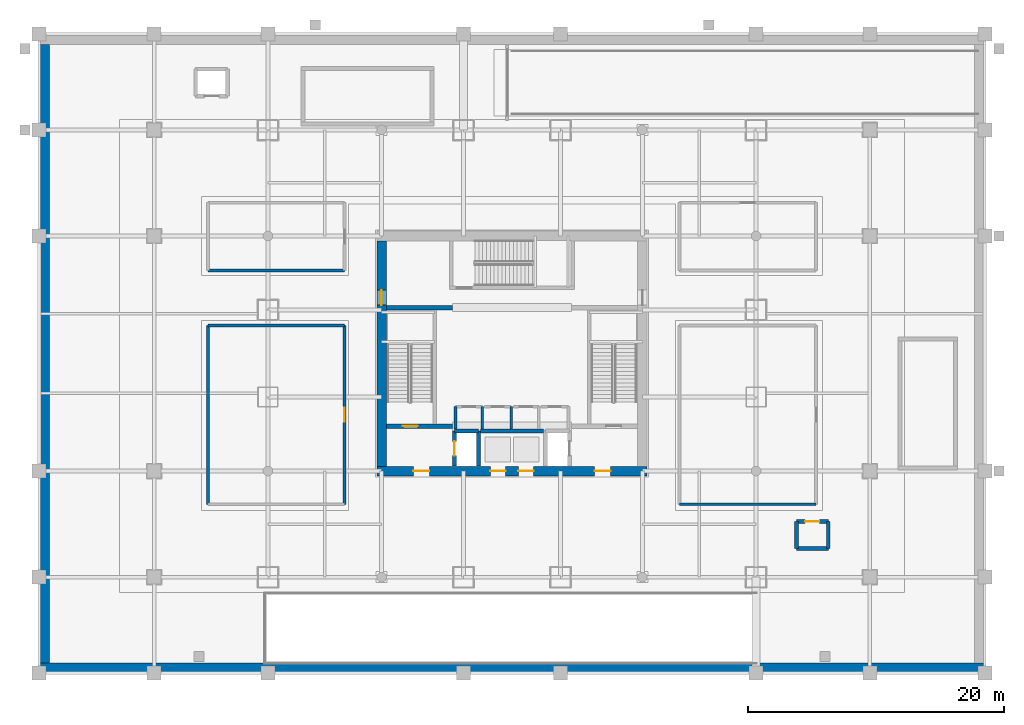
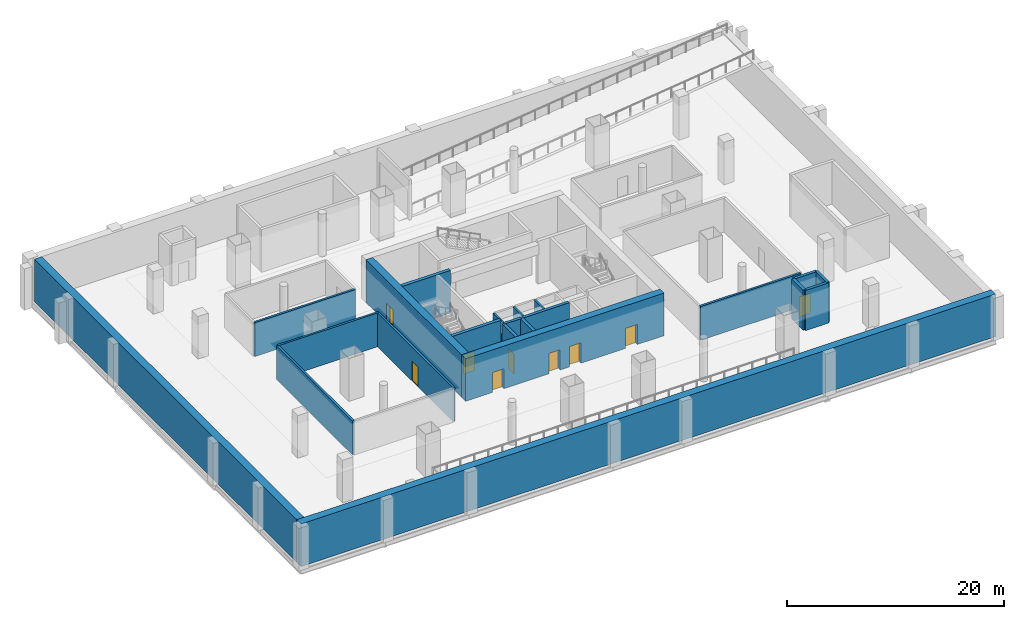
# One storey, part 3 of 12: 22 walls, 9 doors, 9 openings.
"""IFC4 building model written with IfcOpenShell, lengths in metres."""

from ifc_helpers import new_model, si_unit, direction, frame, frame_2d, origin, place, context, subcontext, project, spatial, rectangle, extrude, material, layer, layer_set, type_object, element, fill, save


model = new_model("IFC4")

# Units and contexts
model_context = context("Model", 3, precision=1e-05, world=origin(), true_north=direction((0.0, 1.0)))
body_context = subcontext(model_context, "Body", "Model", "MODEL_VIEW")
ifc_project = project(units=[si_unit("LENGTHUNIT", "METRE"), si_unit("AREAUNIT", "SQUARE_METRE"), si_unit("VOLUMEUNIT", "CUBIC_METRE"), si_unit("PLANEANGLEUNIT", "RADIAN"), si_unit("MASSUNIT", "GRAM", prefix="KILO")], contexts=[model_context])

# Site, building, storey
site_placement = place(None, origin())
site = spatial("IfcSite", under=ifc_project, at=site_placement, CompositionType="ELEMENT")
building_placement = place(site_placement, origin())
building = spatial("IfcBuilding", under=site, at=building_placement, Name="Punatoya Terracotta Tower", CompositionType="ELEMENT")
storey_placement = place(building_placement, frame((0.0, 0.0, -4.800048828125)))
storey = spatial("IfcBuildingStorey", under=building, at=storey_placement, Name="B1", CompositionType="ELEMENT", Elevation=-4.800048828125)

# Wall, openings, doors
ifc_material_1 = material(Name="Concrete C60/75", Category="concrete")
ifc_layer_1 = layer(ifc_material_1, 0.75)
ifc_layer_set_1 = layer_set([ifc_layer_1], Name="Concrete C60/75")
wall_type_1 = type_object("IfcWallType", Name="WL-COR-750", PredefinedType="SHEAR", material=ifc_layer_set_1)
wall_1_placement = place(storey_placement, frame((10.574951171875, -9.199951171875, 0.0), z_axis=(0.0, 0.0, 1.0), x_axis=(-1.0, 0.0, 0.0)))
wall_1 = element("IfcWall", 1, at=wall_1_placement, inside=storey, type_object=wall_type_1, Name="B1 Core Shear Wall S", PredefinedType="SHEAR", context=body_context, shape_type="SweptSolid", body=[
    extrude(rectangle(XDim=21.14990234375, YDim=0.75, at=frame_2d((10.574951171875, 0.0))), origin(), (0.0, 0.0, 1.0), 4.800048828125),
])
opening_1_placement = place(wall_1_placement, frame((2.85009765625, 0.0, 0.0)))
opening_1 = element("IfcOpeningElement", 2, at=opening_1_placement, cuts=wall_1, Name="Opening FD-L1", PredefinedType="OPENING", context=body_context, shape_type="SweptSolid", body=[
    extrude(rectangle(XDim=1.25, YDim=2.25, at=frame_2d((0.625, 1.125))), frame((0.0, 0.385009765625, 0.0), z_axis=(0.0, -1.0, 0.0), x_axis=(1.0, 0.0, 0.0)), (0.0, 0.0, 1.0), 0.77001953125),
])
opening_2_placement = place(wall_1_placement, frame((17.050048828125, 0.0, 0.0)))
opening_2 = element("IfcOpeningElement", 3, at=opening_2_placement, cuts=wall_1, Name="Opening FD-L1", PredefinedType="OPENING", context=body_context, shape_type="SweptSolid", body=[
    extrude(rectangle(XDim=1.25, YDim=2.25, at=frame_2d((0.625, 1.125))), frame((0.0, 0.385009765625, 0.0), z_axis=(0.0, -1.0, 0.0), x_axis=(1.0, 0.0, 0.0)), (0.0, 0.0, 1.0), 0.77001953125),
])
opening_3_placement = place(wall_1_placement, frame((11.074951171875, 0.0, 0.0)))
opening_3 = element("IfcOpeningElement", 4, at=opening_3_placement, cuts=wall_1, Name="Opening LD-01", PredefinedType="OPENING", context=body_context, shape_type="SweptSolid", body=[
    extrude(rectangle(XDim=1.199951171875, YDim=2.300048828125, at=frame_2d((0.60009765625, 1.14990234375))), frame((0.0, 0.385009765625, 0.0), z_axis=(0.0, -1.0, 0.0), x_axis=(1.0, 0.0, 0.0)), (0.0, 0.0, 1.0), 0.77001953125),
])
opening_4_placement = place(wall_1_placement, frame((8.875, 0.0, 0.0)))
opening_4 = element("IfcOpeningElement", 5, at=opening_4_placement, cuts=wall_1, Name="Opening LD-01", PredefinedType="OPENING", context=body_context, shape_type="SweptSolid", body=[
    extrude(rectangle(XDim=1.199951171875, YDim=2.300048828125, at=frame_2d((0.60009765625, 1.14990234375))), frame((0.0, 0.385009765625, 0.0), z_axis=(0.0, -1.0, 0.0), x_axis=(1.0, 0.0, 0.0)), (0.0, 0.0, 1.0), 0.77001953125),
])
ifc_material_2 = material(Name="Galvanised Steel Smokeproof Fire Door", Category="steel")
door_type_1 = type_object("IfcDoorType", Name="DR-FFL-1250", OperationType="NOTDEFINED", PredefinedType="DOOR", material=ifc_material_2)
door_1_placement = place(opening_1_placement, origin())
door_1 = element("IfcDoor", 6, at=door_1_placement, inside=storey, type_object=door_type_1, Name="B1 East Firefighting Lobby Corridor Fire Door", OperationType="SINGLE_SWING_LEFT", OverallHeight=2.25, OverallWidth=1.25, PredefinedType="DOOR", context=body_context, shape_type="SweptSolid", body=[
    extrude(rectangle(XDim=1.25, YDim=2.25, at=frame_2d((0.625, 1.125))), frame((0.0, 0.02490234375, 0.0), z_axis=(0.0, -1.0, 0.0), x_axis=(1.0, 0.0, 0.0)), (0.0, 0.0, 1.0), 0.050048828125),
])
fill(opening_1, door_1)
door_2_placement = place(opening_2_placement, origin())
door_2 = element("IfcDoor", 7, at=door_2_placement, inside=storey, type_object=door_type_1, Name="B1 West Firefighting Lobby Corridor Fire Door", OperationType="SINGLE_SWING_RIGHT", OverallHeight=2.25, OverallWidth=1.25, PredefinedType="DOOR", context=body_context, shape_type="SweptSolid", body=[
    extrude(rectangle(XDim=1.25, YDim=2.25, at=frame_2d((0.625, 1.125))), frame((0.0, 0.02490234375, 0.0), z_axis=(0.0, -1.0, 0.0), x_axis=(1.0, 0.0, 0.0)), (0.0, 0.0, 1.0), 0.050048828125),
])
fill(opening_2, door_2)
ifc_material_3 = material(Name="Stainless Steel Lift Landing Door", Category="steel")
door_type_2 = type_object("IfcDoorType", Name="DR-LND-1200", OperationType="NOTDEFINED", PredefinedType="DOOR", material=ifc_material_3)
door_3_placement = place(opening_3_placement, origin())
door_3 = element("IfcDoor", 8, at=door_3_placement, inside=storey, type_object=door_type_2, Name="B1 Observation Express OB-1 Sliding Landing Door", OperationType="DOUBLE_DOOR_SLIDING", OverallHeight=2.300048828125, OverallWidth=1.199951171875, PredefinedType="DOOR", context=body_context, shape_type="SweptSolid", body=[
    extrude(rectangle(XDim=1.199951171875, YDim=2.300048828125, at=frame_2d((0.60009765625, 1.14990234375))), frame((0.0, 0.02490234375, 0.0), z_axis=(0.0, -1.0, 0.0), x_axis=(1.0, 0.0, 0.0)), (0.0, 0.0, 1.0), 0.050048828125),
])
fill(opening_3, door_3)
door_4_placement = place(opening_4_placement, origin())
door_4 = element("IfcDoor", 9, at=door_4_placement, inside=storey, type_object=door_type_2, Name="B1 Observation Express OB-2 Sliding Landing Door", OperationType="DOUBLE_DOOR_SLIDING", OverallHeight=2.300048828125, OverallWidth=1.199951171875, PredefinedType="DOOR", context=body_context, shape_type="SweptSolid", body=[
    extrude(rectangle(XDim=1.199951171875, YDim=2.300048828125, at=frame_2d((0.60009765625, 1.14990234375))), frame((0.0, 0.02490234375, 0.0), z_axis=(0.0, -1.0, 0.0), x_axis=(1.0, 0.0, 0.0)), (0.0, 0.0, 1.0), 0.050048828125),
])
fill(opening_4, door_4)

# Wall, opening, door
wall_2_placement = place(storey_placement, frame((-10.199951171875, -8.824951171875, 0.0), z_axis=(0.0, 0.0, 1.0), x_axis=(0.0, 1.0, 0.0)))
wall_2 = element("IfcWall", 10, at=wall_2_placement, inside=storey, type_object=wall_type_1, Name="B1 Core Shear Wall W", PredefinedType="SHEAR", context=body_context, shape_type="SweptSolid", body=[
    extrude(rectangle(XDim=17.64990234375, YDim=0.75, at=frame_2d((8.824951171875, 0.0))), origin(), (0.0, 0.0, 1.0), 4.800048828125),
])
opening_5_placement = place(wall_2_placement, frame((12.614990234375, 0.0, 0.0)))
opening_5 = element("IfcOpeningElement", 11, at=opening_5_placement, cuts=wall_2, Name="Opening SD-01", PredefinedType="OPENING", context=body_context, shape_type="SweptSolid", body=[
    extrude(rectangle(XDim=1.179931640625, YDim=2.199951171875, at=frame_2d((0.58984375, 1.10009765625))), frame((0.0, 0.385009765625, 0.0), z_axis=(0.0, -1.0, 0.0), x_axis=(1.0, 0.0, 0.0)), (0.0, 0.0, 1.0), 0.77001953125),
])
ifc_material_4 = material(Name="Galvanised Steel Pressurized Stair Fire Door", Category="steel")
door_type_3 = type_object("IfcDoorType", Name="DR-STR-1180", OperationType="NOTDEFINED", PredefinedType="DOOR", material=ifc_material_4)
door_5_placement = place(opening_5_placement, origin())
door_5 = element("IfcDoor", 12, at=door_5_placement, inside=storey, type_object=door_type_3, Name="B1 Central Lift Lobby West Fire Door", OperationType="SINGLE_SWING_LEFT", OverallHeight=2.199951171875, OverallWidth=1.179931640625, PredefinedType="DOOR", context=body_context, shape_type="SweptSolid", body=[
    extrude(rectangle(XDim=1.179931640625, YDim=2.199951171875, at=frame_2d((0.58984375, 1.10009765625))), frame((0.0, 0.02490234375, 0.0), z_axis=(0.0, -1.0, 0.0), x_axis=(1.0, 0.0, 0.0)), (0.0, 0.0, 1.0), 0.050048828125),
])
fill(opening_5, door_5)

ifc_material_5 = material(Name="Concrete C40/50", Category="concrete")
ifc_layer_2 = layer(ifc_material_5, 0.219970703125)
ifc_layer_set_2 = layer_set([ifc_layer_2], Name="Concrete C40/50")
wall_type_2 = type_object("IfcWallType", Name="WL-FIR-220", PredefinedType="SOLIDWALL", material=ifc_layer_set_2)
wall_3_placement = place(storey_placement, frame((-13.10009765625, -11.800048828125, 0.0), z_axis=(0.0, 0.0, 1.0), x_axis=(0.0, 1.0, 0.0)))
wall_3 = element("IfcWall", 13, at=wall_3_placement, inside=storey, type_object=wall_type_2, Name="B1 33/11 kV High-Voltage Electrical Substation Partition 10", PredefinedType="SOLIDWALL", context=body_context, shape_type="SweptSolid", body=[
    extrude(rectangle(XDim=14.0, YDim=0.219970703125, at=frame_2d((7.0, 0.0))), origin(), (0.0, 0.0, 1.0), 3.81396484375),
])
opening_6_placement = place(wall_3_placement, frame((6.449951171875, 0.0, 0.0)))
opening_6 = element("IfcOpeningElement", 14, at=opening_6_placement, cuts=wall_3, Name="Opening FD-P1", PredefinedType="OPENING", context=body_context, shape_type="SweptSolid", body=[
    extrude(rectangle(XDim=1.10009765625, YDim=2.199951171875, at=frame_2d((0.550048828125, 1.10009765625))), frame((0.0, 0.119873046875, 0.0), z_axis=(0.0, -1.0, 0.0), x_axis=(1.0, 0.0, 0.0)), (0.0, 0.0, 1.0), 0.239990234375),
])
ifc_material_6 = material(Name="Galvanised Steel Plant Fire Door", Category="steel")
door_type_4 = type_object("IfcDoorType", Name="DR-PLT-1100", OperationType="NOTDEFINED", PredefinedType="DOOR", material=ifc_material_6)
door_6_placement = place(opening_6_placement, origin())
door_6 = element("IfcDoor", 15, at=door_6_placement, inside=storey, type_object=door_type_4, Name="B1 33/11 kV High-Voltage Electrical Substation Fire Door", OperationType="SINGLE_SWING_RIGHT", OverallHeight=2.199951171875, OverallWidth=1.10009765625, PredefinedType="DOOR", context=body_context, shape_type="SweptSolid", body=[
    extrude(rectangle(XDim=1.10009765625, YDim=2.199951171875, at=frame_2d((0.550048828125, 1.10009765625))), frame((0.0, 0.02490234375, 0.0), z_axis=(0.0, -1.0, 0.0), x_axis=(1.0, 0.0, 0.0)), (0.0, 0.0, 1.0), 0.050048828125),
])
fill(opening_6, door_6)

# Walls
wall_4_placement = place(storey_placement, frame((-13.10009765625, 2.199951171875, 0.0), z_axis=(0.0, 0.0, 1.0), x_axis=(-1.0, 0.0, 0.0)))
element("IfcWall", 16, at=wall_4_placement, inside=storey, type_object=wall_type_2, Name="B1 33/11 kV High-Voltage Electrical Substation Partition 11", PredefinedType="SOLIDWALL", context=body_context, shape_type="SweptSolid", body=[
    extrude(rectangle(XDim=10.699951171875, YDim=0.219970703125, at=frame_2d((5.35009765625, 0.0))), origin(), (0.0, 0.0, 1.0), 3.81396484375),
])
wall_5_placement = place(storey_placement, frame((-23.800048828125, 2.199951171875, 0.0), z_axis=(0.0, 0.0, 1.0), x_axis=(0.0, -1.0, 0.0)))
element("IfcWall", 17, at=wall_5_placement, inside=storey, type_object=wall_type_2, Name="B1 33/11 kV High-Voltage Electrical Substation Partition 12", PredefinedType="SOLIDWALL", context=body_context, shape_type="SweptSolid", body=[
    extrude(rectangle(XDim=14.0, YDim=0.219970703125, at=frame_2d((7.0, 0.0))), origin(), (0.0, 0.0, 1.0), 3.81396484375),
])
for number, where, z_axis, x_axis, name in (
    (18, (-23.800048828125, 6.5, 0.0), (0.0, 0.0, 1.0), (1.0, 0.0, 0.0), "B1 Building Management and Fan Plant Room Partition 17"),
    (19, (13.10009765625, -11.800048828125, 0.0), (0.0, 0.0, 1.0), (1.0, 0.0, 0.0), "B1 Secure Staff Cycle Hub and Changing Room Partition 21"),
):
    element("IfcWall", number, at=place(storey_placement, frame(where, z_axis=z_axis, x_axis=x_axis)), inside=storey, type_object=wall_type_2, Name=name, PredefinedType="SOLIDWALL", context=body_context, shape_type="SweptSolid", body=[
        extrude(rectangle(XDim=10.699951171875, YDim=0.219970703125, at=frame_2d((5.35009765625, 0.0))), origin(), (0.0, 0.0, 1.0), 3.81396484375),
    ])
ifc_layer_3 = layer(ifc_material_5, 0.199951171875)
ifc_layer_set_3 = layer_set([ifc_layer_3], Name="Concrete C40/50")
wall_type_3 = type_object("IfcWallType", Name="WL-INT-200", PredefinedType="SOLIDWALL", material=ifc_layer_set_3)
for number, where, z_axis, x_axis, name in (
    (20, (-2.320068359375, -5.89990234375, 0.0), (0.0, 0.0, 1.0), (0.0, 1.0, 0.0), "B1 Staff Male Washroom Partition 01"),
    (21, (-4.419921875, -4.159912109375, 0.0), (0.0, 0.0, 1.0), (0.0, -1.0, 0.0), "B1 Staff Male Washroom Partition 03"),
    (22, (-0.06005859375, -5.89990234375, 0.0), (0.0, 0.0, 1.0), (0.0, 1.0, 0.0), "B1 Staff Female Washroom Partition 04"),
):
    element("IfcWall", number, at=place(storey_placement, frame(where, z_axis=z_axis, x_axis=x_axis)), inside=storey, type_object=wall_type_3, Name=name, PredefinedType="SOLIDWALL", context=body_context, shape_type="SweptSolid", body=[
        extrude(rectangle(XDim=1.739990234375, YDim=0.199951171875, at=frame_2d((0.8701171875, 0.0))), origin(), (0.0, 0.0, 1.0), 4.52001953125),
    ])
ifc_layer_4 = layer(ifc_material_1, 0.800048828125)
ifc_layer_set_4 = layer_set([ifc_layer_4], Name="Concrete C60/75")
wall_type_4 = type_object("IfcWallType", Name="WL-RET-800", PredefinedType="USERDEFINED", material=ifc_layer_set_4)
wall_6_placement = place(storey_placement, frame((37.0, -24.60009765625, 0.0), z_axis=(0.0, 0.0, 1.0), x_axis=(-1.0, 0.0, 0.0)))
element("IfcWall", 23, at=wall_6_placement, inside=storey, type_object=wall_type_4, Name="B1 Perimeter Retaining Wall South", ObjectType="RETAININGWALL", PredefinedType="USERDEFINED", context=body_context, shape_type="SweptSolid", body=[
    extrude(rectangle(XDim=74.0, YDim=0.800048828125, at=frame_2d((37.0, 0.0))), origin(), (0.0, 0.0, 1.0), 4.800048828125),
])
wall_7_placement = place(storey_placement, frame((-36.60009765625, -24.199951171875, 0.0), z_axis=(0.0, 0.0, 1.0), x_axis=(0.0, 1.0, 0.0)))
element("IfcWall", 24, at=wall_7_placement, inside=storey, type_object=wall_type_4, Name="B1 Perimeter Retaining Wall West", ObjectType="RETAININGWALL", PredefinedType="USERDEFINED", context=body_context, shape_type="SweptSolid", body=[
    extrude(rectangle(XDim=48.39990234375, YDim=0.800048828125, at=frame_2d((24.199951171875, 0.0))), origin(), (0.0, 0.0, 1.0), 4.800048828125),
])

# Wall, opening, door
ifc_layer_5 = layer(ifc_material_5, 0.300048828125)
ifc_layer_set_5 = layer_set([ifc_layer_5], Name="Concrete C40/50")
wall_type_5 = type_object("IfcWallType", Name="WL-SHF-300", PredefinedType="SOLIDWALL", material=ifc_layer_set_5)
wall_8_placement = place(storey_placement, frame((-4.489990234375, -8.820068359375, 0.0), z_axis=(0.0, 0.0, 1.0), x_axis=(0.0, 1.0, 0.0)))
wall_8 = element("IfcWall", 25, at=wall_8_placement, inside=storey, type_object=wall_type_5, Name="B1 FFL-1 Front Hoistway Wall", PredefinedType="SOLIDWALL", context=body_context, shape_type="SweptSolid", body=[
    extrude(rectangle(XDim=2.77001953125, YDim=0.300048828125, at=frame_2d((1.385009765625, 0.0))), origin(), (0.0, 0.0, 1.0), 4.52001953125),
])
opening_7_placement = place(wall_8_placement, frame((0.824951171875, 0.0, 0.0)))
opening_7 = element("IfcOpeningElement", 26, at=opening_7_placement, cuts=wall_8, Name="Opening LD-02", PredefinedType="OPENING", context=body_context, shape_type="SweptSolid", body=[
    extrude(rectangle(XDim=1.1201171875, YDim=2.25, at=frame_2d((0.56005859375, 1.125))), frame((0.0, 0.159912109375, 0.0), z_axis=(0.0, -1.0, 0.0), x_axis=(1.0, 0.0, 0.0)), (0.0, 0.0, 1.0), 0.320068359375),
])
door_type_5 = type_object("IfcDoorType", Name="DR-LND-1120", OperationType="NOTDEFINED", PredefinedType="DOOR", material=ifc_material_3)
door_7_placement = place(opening_7_placement, origin())
door_7 = element("IfcDoor", 27, at=door_7_placement, inside=storey, type_object=door_type_5, Name="B1 Firefighting Lift FFL-1 Sliding Landing Door", OperationType="SLIDING_TO_LEFT", OverallHeight=2.25, OverallWidth=1.1201171875, PredefinedType="DOOR", context=body_context, shape_type="SweptSolid", body=[
    extrude(rectangle(XDim=1.1201171875, YDim=2.25, at=frame_2d((0.56005859375, 1.125))), frame((0.0, 0.02490234375, 0.0), z_axis=(0.0, -1.0, 0.0), x_axis=(1.0, 0.0, 0.0)), (0.0, 0.0, 1.0), 0.050048828125),
])
fill(opening_7, door_7)

# Walls
wall_9_placement = place(storey_placement, frame((-2.610107421875, -8.820068359375, 0.0), z_axis=(0.0, 0.0, 1.0), x_axis=(0.0, 1.0, 0.0)))
element("IfcWall", 28, at=wall_9_placement, inside=storey, type_object=wall_type_5, Name="B1 FFL-1 Rear Hoistway Wall", PredefinedType="SOLIDWALL", context=body_context, shape_type="SweptSolid", body=[
    extrude(rectangle(XDim=2.77001953125, YDim=0.300048828125, at=frame_2d((1.385009765625, 0.0))), origin(), (0.0, 0.0, 1.0), 4.52001953125),
])
wall_10_placement = place(storey_placement, frame((-4.489990234375, -6.050048828125, 0.0), z_axis=(0.0, 0.0, 1.0), x_axis=(1.0, 0.0, 0.0)))
element("IfcWall", 29, at=wall_10_placement, inside=storey, type_object=wall_type_5, Name="B1 FFL-1 North Hoistway Wall", PredefinedType="SOLIDWALL", context=body_context, shape_type="SweptSolid", body=[
    extrude(rectangle(XDim=1.8798828125, YDim=0.300048828125, at=frame_2d((0.93994140625, 0.0))), origin(), (0.0, 0.0, 1.0), 4.52001953125),
])
wall_11_placement = place(storey_placement, frame((-2.449951171875, -6.050048828125, 0.0), z_axis=(0.0, 0.0, 1.0), x_axis=(1.0, 0.0, 0.0)))
element("IfcWall", 30, at=wall_11_placement, inside=storey, type_object=wall_type_5, Name="B1 Observation Shuttle Rear Hoistway Wall", PredefinedType="SOLIDWALL", context=body_context, shape_type="SweptSolid", body=[
    extrude(rectangle(XDim=4.89990234375, YDim=0.300048828125, at=frame_2d((2.449951171875, 0.0))), origin(), (0.0, 0.0, 1.0), 4.52001953125),
])

# Wall, opening, door
wall_12_placement = place(storey_placement, frame((22.25, -13.14990234375, 0.0), z_axis=(0.0, 0.0, 1.0), x_axis=(1.0, 0.0, 0.0)))
wall_12 = element("IfcWall", 31, at=wall_12_placement, inside=storey, type_object=wall_type_5, Name="B1 Podium Lift PL-P2 Front Wall", PredefinedType="SOLIDWALL", context=body_context, shape_type="SweptSolid", body=[
    extrude(rectangle(XDim=2.5, YDim=0.300048828125, at=frame_2d((1.25, 0.0))), origin(), (0.0, 0.0, 1.0), 4.52001953125),
])
opening_8_placement = place(wall_12_placement, frame((0.68994140625, 0.0, 0.0)))
opening_8 = element("IfcOpeningElement", 32, at=opening_8_placement, cuts=wall_12, Name="Opening LD-02", PredefinedType="OPENING", context=body_context, shape_type="SweptSolid", body=[
    extrude(rectangle(XDim=1.1201171875, YDim=2.25, at=frame_2d((0.56005859375, 1.125))), frame((0.0, 0.159912109375, 0.0), z_axis=(0.0, -1.0, 0.0), x_axis=(1.0, 0.0, 0.0)), (0.0, 0.0, 1.0), 0.320068359375),
])
door_8_placement = place(opening_8_placement, origin())
door_8 = element("IfcDoor", 33, at=door_8_placement, inside=storey, type_object=door_type_5, Name="B1 Podium Lift PL-P2 Sliding Landing Door", OperationType="DOUBLE_DOOR_SLIDING", OverallHeight=2.25, OverallWidth=1.1201171875, PredefinedType="DOOR", context=body_context, shape_type="SweptSolid", body=[
    extrude(rectangle(XDim=1.1201171875, YDim=2.25, at=frame_2d((0.56005859375, 1.125))), frame((0.0, 0.02490234375, 0.0), z_axis=(0.0, -1.0, 0.0), x_axis=(1.0, 0.0, 0.0)), (0.0, 0.0, 1.0), 0.050048828125),
])
fill(opening_8, door_8)

# Walls
wall_13_placement = place(storey_placement, frame((22.25, -15.25, 0.0), z_axis=(0.0, 0.0, 1.0), x_axis=(1.0, 0.0, 0.0)))
element("IfcWall", 34, at=wall_13_placement, inside=storey, type_object=wall_type_5, Name="B1 Podium Lift PL-P2 Rear Wall", PredefinedType="SOLIDWALL", context=body_context, shape_type="SweptSolid", body=[
    extrude(rectangle(XDim=2.5, YDim=0.300048828125, at=frame_2d((1.25, 0.0))), origin(), (0.0, 0.0, 1.0), 4.52001953125),
])
for number, where, z_axis, x_axis, name in (
    (35, (22.25, -15.25, 0.0), (0.0, 0.0, 1.0), (0.0, 1.0, 0.0), "B1 Podium Lift PL-P2 West Wall"),
    (36, (24.75, -15.25, 0.0), (0.0, 0.0, 1.0), (0.0, 1.0, 0.0), "B1 Podium Lift PL-P2 East Wall"),
):
    element("IfcWall", number, at=place(storey_placement, frame(where, z_axis=z_axis, x_axis=x_axis)), inside=storey, type_object=wall_type_5, Name=name, PredefinedType="SOLIDWALL", context=body_context, shape_type="SweptSolid", body=[
        extrude(rectangle(XDim=2.10009765625, YDim=0.300048828125, at=frame_2d((1.050048828125, 0.0))), origin(), (0.0, 0.0, 1.0), 4.52001953125),
    ])

# Wall, opening, door
ifc_material_7 = material(Name="Concrete C50/60", Category="concrete")
ifc_layer_6 = layer(ifc_material_7, 0.35009765625)
ifc_layer_set_6 = layer_set([ifc_layer_6], Name="Concrete C50/60")
wall_type_6 = type_object("IfcWallType", Name="WL-SHF-350", PredefinedType="SOLIDWALL", material=ifc_layer_set_6)
wall_14_placement = place(storey_placement, frame((-9.824951171875, -5.679931640625, 0.0), z_axis=(0.0, 0.0, 1.0), x_axis=(1.0, 0.0, 0.0)))
wall_14 = element("IfcWall", 37, at=wall_14_placement, inside=storey, type_object=wall_type_6, Name="B1 Core Web Wall CSW-L", PredefinedType="SOLIDWALL", context=body_context, shape_type="SweptSolid", body=[
    extrude(rectangle(XDim=5.175048828125, YDim=0.35009765625, at=frame_2d((2.58740234375, 0.0))), origin(), (0.0, 0.0, 1.0), 4.800048828125),
])
opening_9_placement = place(wall_14_placement, frame((1.284912109375, 0.0, 0.0)))
opening_9 = element("IfcOpeningElement", 38, at=opening_9_placement, cuts=wall_14, Name="Opening SD-01", PredefinedType="OPENING", context=body_context, shape_type="SweptSolid", body=[
    extrude(rectangle(XDim=1.179931640625, YDim=2.199951171875, at=frame_2d((0.58984375, 1.10009765625))), frame((0.0, 0.18505859375, 0.0), z_axis=(0.0, -1.0, 0.0), x_axis=(1.0, 0.0, 0.0)), (0.0, 0.0, 1.0), 0.3701171875),
])
door_9_placement = place(opening_9_placement, origin())
door_9 = element("IfcDoor", 39, at=door_9_placement, inside=storey, type_object=door_type_3, Name="B1 Stair ST-1 Smokeproof Lobby Fire Door", OperationType="SINGLE_SWING_LEFT", OverallHeight=2.199951171875, OverallWidth=1.179931640625, PredefinedType="DOOR", context=body_context, shape_type="SweptSolid", body=[
    extrude(rectangle(XDim=1.179931640625, YDim=2.199951171875, at=frame_2d((0.58984375, 1.10009765625))), frame((0.0, 0.02490234375, 0.0), z_axis=(0.0, -1.0, 0.0), x_axis=(1.0, 0.0, 0.0)), (0.0, 0.0, 1.0), 0.050048828125),
])
fill(opening_9, door_9)

# Wall
wall_15_placement = place(storey_placement, frame((-9.824951171875, 3.60009765625, 0.0), z_axis=(0.0, 0.0, 1.0), x_axis=(1.0, 0.0, 0.0)))
element("IfcWall", 40, at=wall_15_placement, inside=storey, type_object=wall_type_6, Name="B1 Core Web Wall CNW-L", PredefinedType="SOLIDWALL", context=body_context, shape_type="SweptSolid", body=[
    extrude(rectangle(XDim=5.175048828125, YDim=0.35009765625, at=frame_2d((2.58740234375, 0.0))), origin(), (0.0, 0.0, 1.0), 4.800048828125),
])

save(model, "model.ifc")
